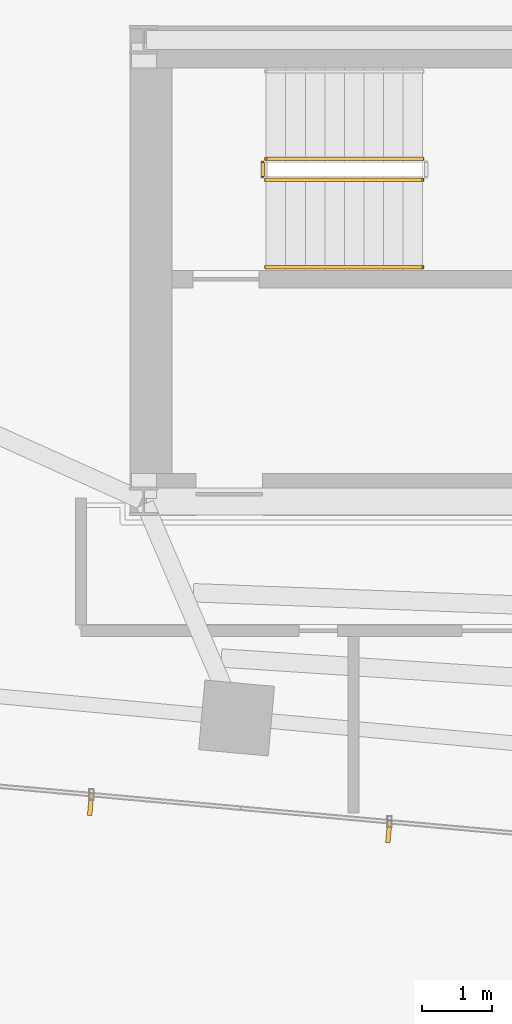
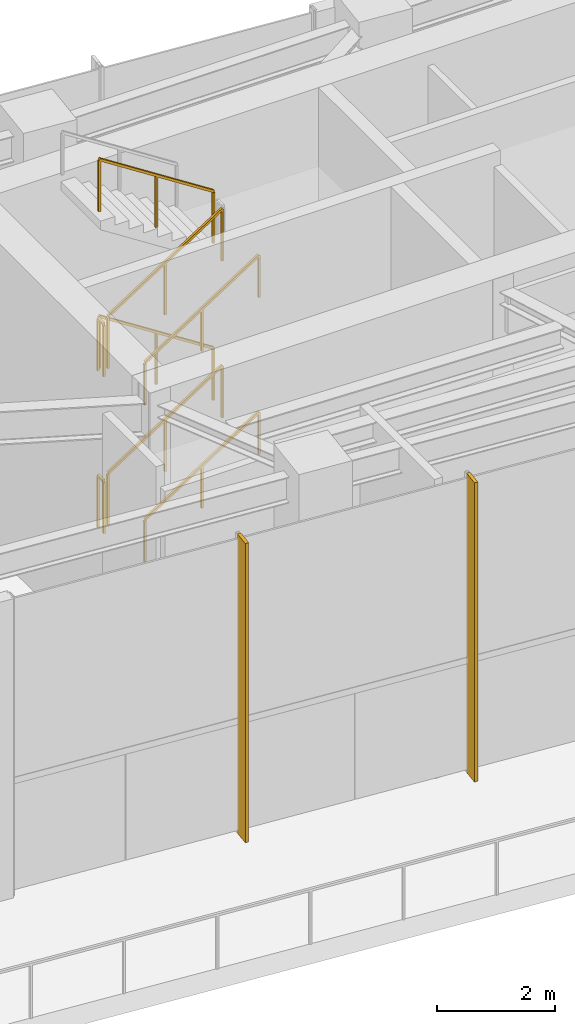
# One storey, part 14 of 18: 8 railings, 2 shading devices.
"""IFC4 building model written with IfcOpenShell, lengths in metres."""

from ifc_helpers import new_model, si_unit, direction, frame, origin, origin_2d, place, context, subcontext, project, spatial, rectangle, extrude, source, transform, mapped, material, type_object, type_shapes, element, save


model = new_model("IFC4")

# Units and contexts
model_context = context("Model", 3, precision=1e-05, world=origin(), true_north=direction((0.0, 1.0)))
body_context = subcontext(model_context, "Body", "Model", "MODEL_VIEW")
ifc_project = project(units=[si_unit("LENGTHUNIT", "METRE"), si_unit("AREAUNIT", "SQUARE_METRE"), si_unit("VOLUMEUNIT", "CUBIC_METRE"), si_unit("PLANEANGLEUNIT", "RADIAN"), si_unit("MASSUNIT", "GRAM", prefix="KILO")], contexts=[model_context])

# Site, building, storey
site_placement = place(None, origin())
site = spatial("IfcSite", under=ifc_project, at=site_placement, CompositionType="ELEMENT")
building_placement = place(site_placement, origin())
building = spatial("IfcBuilding", under=site, at=building_placement, Name="Astriad Promenade Condominiums", CompositionType="ELEMENT")
storey_placement = place(building_placement, frame((0.0, 0.0, 264.300048828125)))
storey = spatial("IfcBuildingStorey", under=building, at=storey_placement, Name="L76", CompositionType="ELEMENT", Elevation=264.300048828125)

# Shading devices
ifc_material_1 = material(Name="Anodised aluminium 6063-T6 Black Fin", Category="aluminium")
shading_device_type = type_object("IfcShadingDeviceType", Name="FIN-BLACK-260", PredefinedType="USERDEFINED", material=ifc_material_1)
shared_shape_1 = source(origin(), body_context, "Body", "SweptSolid", [
    extrude(rectangle(XDim=0.06494140625, YDim=0.320068359375, at=origin_2d()), origin(), (0.0, 0.0, 1.0), 6.199951171875),
])
type_shapes(shading_device_type, [shared_shape_1])
for number, where, z_axis, x_axis, name in (
    (1, (29.9052734375, 12.677001953125, 0.0), (0.0, 0.0, 1.0), (-0.995884398616, 0.090632580198, 0.0), "CW-LNT-L76-18-1-FIN-04"),
    (2, (25.639404296875, 13.065185546875, 0.0), (0.0, 0.0, 1.0), (-0.995884398616, 0.090632580198, 0.0), "CW-LNT-L76-18-1-FIN-05"),
):
    element("IfcShadingDevice", number, at=place(storey_placement, frame(where, z_axis=z_axis, x_axis=x_axis)), inside=storey, type_object=shading_device_type, Name=name, ObjectType="FIN", PredefinedType="USERDEFINED", context=body_context, shape_type="MappedRepresentation", body=[
        mapped(shared_shape_1, transform((0.0, 0.0, 0.0), scale=1.0)),
    ])

# Railings
ifc_material_2 = material(Name="Painted Galvanised Steel Guardrail", Category="steel")
railing_type_1 = type_object("IfcRailingType", Name="GRD-STAIR-1100", PredefinedType="GUARDRAIL", material=ifc_material_2)
shared_shape_2 = source(origin(), body_context, "Body", "SweptSolid", [
    extrude(rectangle(XDim=0.048095703125, YDim=0.048095703125, at=origin_2d()), frame((0.0, 0.0, 1.076171875), z_axis=(0.0, 1.0, 0.0), x_axis=(-1.0, 0.0, 0.0)), (0.0, 0.0, 1.0), 0.199951171875),
    extrude(rectangle(XDim=0.0419921875, YDim=0.0419921875, at=origin_2d()), origin(), (0.0, 0.0, 1.0), 1.052001953125),
    extrude(rectangle(XDim=0.0419921875, YDim=0.0419921875, at=origin_2d()), frame((0.0, 0.199951171875, 0.0)), (0.0, 0.0, 1.0), 1.052001953125),
])
for number, where, name in (
    (3, (28.10009765625, 22.050048828125, 3.25), "L76 ST-1 stair guard 4"),
    (4, (28.10009765625, 22.050048828125, 0.0), "L76 ST-1 stair guard 8"),
):
    element("IfcRailing", number, at=place(storey_placement, frame(where)), inside=storey, type_object=railing_type_1, Name=name, PredefinedType="GUARDRAIL", context=body_context, shape_type="MappedRepresentation", body=[
        mapped(shared_shape_2, transform((0.0, 0.0, 0.0), scale=1.0)),
    ])
shared_shape_3 = source(origin(), body_context, "Body", "SweptSolid", [
    extrude(rectangle(XDim=0.048095703125, YDim=0.048095703125, at=origin_2d()), frame((0.0, 0.0, 1.076171875), z_axis=(0.840394893359, 0.0, 0.541974559565), x_axis=(0.0, 1.0, 0.0)), (0.0, 0.0, 1.0), 2.665283203125),
    extrude(rectangle(XDim=0.0419921875, YDim=0.0419921875, at=origin_2d()), origin(), (0.0, 0.0, 1.0), 1.052001953125),
    extrude(rectangle(XDim=0.0419921875, YDim=0.0419921875, at=origin_2d()), frame((1.1201171875, 0.0, 0.72216796875)), (0.0, 0.0, 1.0), 1.052001953125),
    extrude(rectangle(XDim=0.0419921875, YDim=0.0419921875, at=origin_2d()), frame((2.239990234375, 0.0, 1.444580078125)), (0.0, 0.0, 1.0), 1.052001953125),
])
for number, where, name in (
    (5, (28.14990234375, 22.0, 0.180419921875), "L76 ST-1 stair guard 1"),
    (6, (28.14990234375, 22.0, 3.430419921875), "L76 ST-1 stair guard 5"),
):
    element("IfcRailing", number, at=place(storey_placement, frame(where)), inside=storey, type_object=railing_type_1, Name=name, PredefinedType="GUARDRAIL", context=body_context, shape_type="MappedRepresentation", body=[
        mapped(shared_shape_3, transform((0.0, 0.0, 0.0), scale=1.0)),
    ])
shared_shape_4 = source(origin(), body_context, "Body", "SweptSolid", [
    extrude(rectangle(XDim=0.048095703125, YDim=0.048095703125, at=origin_2d()), frame((0.0, 0.0, 1.076171875), z_axis=(-0.840394893359, 0.0, 0.541974559565), x_axis=(0.0, -1.0, 0.0)), (0.0, 0.0, 1.0), 2.665283203125),
    extrude(rectangle(XDim=0.0419921875, YDim=0.0419921875, at=origin_2d()), origin(), (0.0, 0.0, 1.0), 1.052001953125),
    extrude(rectangle(XDim=0.0419921875, YDim=0.0419921875, at=origin_2d()), frame((-1.1201171875, 0.0, 0.72216796875)), (0.0, 0.0, 1.0), 1.052001953125),
    extrude(rectangle(XDim=0.0419921875, YDim=0.0419921875, at=origin_2d()), frame((-2.239990234375, 0.0, 1.444580078125)), (0.0, 0.0, 1.0), 1.052001953125),
])
type_shapes(railing_type_1, [shared_shape_2, shared_shape_3, shared_shape_4])
for number, where, name in (
    (7, (30.389892578125, 22.300048828125, 1.805419921875), "L76 ST-1 stair guard 3"),
    (8, (30.389892578125, 22.300048828125, 5.055419921875), "L76 ST-1 stair guard 7"),
):
    element("IfcRailing", number, at=place(storey_placement, frame(where)), inside=storey, type_object=railing_type_1, Name=name, PredefinedType="GUARDRAIL", context=body_context, shape_type="MappedRepresentation", body=[
        mapped(shared_shape_4, transform((0.0, 0.0, 0.0), scale=1.0)),
    ])
ifc_material_3 = material(Name="Brushed Stainless Steel Handrail", Category="steel")
railing_type_2 = type_object("IfcRailingType", Name="HRL-STAIR-920", PredefinedType="HANDRAIL", material=ifc_material_3)
shared_shape_5 = source(origin(), body_context, "Body", "SweptSolid", [
    extrude(rectangle(XDim=0.048095703125, YDim=0.048095703125, at=origin_2d()), frame((0.0, 0.0, 0.8759765625), z_axis=(0.840394893359, 0.0, 0.541974559565), x_axis=(0.0, 1.0, 0.0)), (0.0, 0.0, 1.0), 2.665283203125),
    extrude(rectangle(XDim=0.0419921875, YDim=0.0419921875, at=origin_2d()), origin(), (0.0, 0.0, 1.0), 0.851806640625),
    extrude(rectangle(XDim=0.0419921875, YDim=0.0419921875, at=origin_2d()), frame((1.1201171875, 0.0, 0.72216796875)), (0.0, 0.0, 1.0), 0.851806640625),
    extrude(rectangle(XDim=0.0419921875, YDim=0.0419921875, at=origin_2d()), frame((2.239990234375, 0.0, 1.444580078125)), (0.0, 0.0, 1.0), 0.851806640625),
])
type_shapes(railing_type_2, [shared_shape_5])
for number, where, name in (
    (9, (28.14990234375, 20.75, 0.180419921875), "L76 ST-1 stair handrail 1"),
    (10, (28.14990234375, 20.75, 3.430419921875), "L76 ST-1 stair handrail 3"),
):
    element("IfcRailing", number, at=place(storey_placement, frame(where)), inside=storey, type_object=railing_type_2, Name=name, PredefinedType="HANDRAIL", context=body_context, shape_type="MappedRepresentation", body=[
        mapped(shared_shape_5, transform((0.0, 0.0, 0.0), scale=1.0)),
    ])

save(model, "model.ifc")
